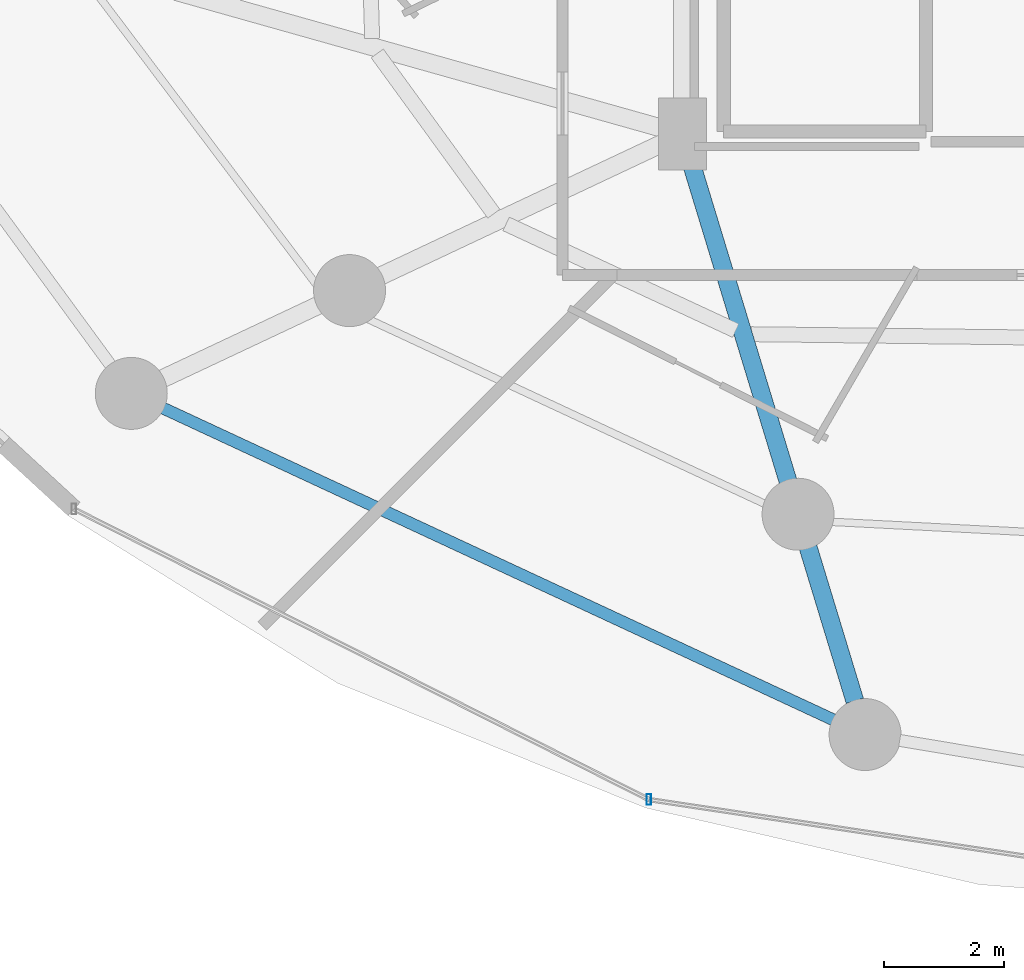
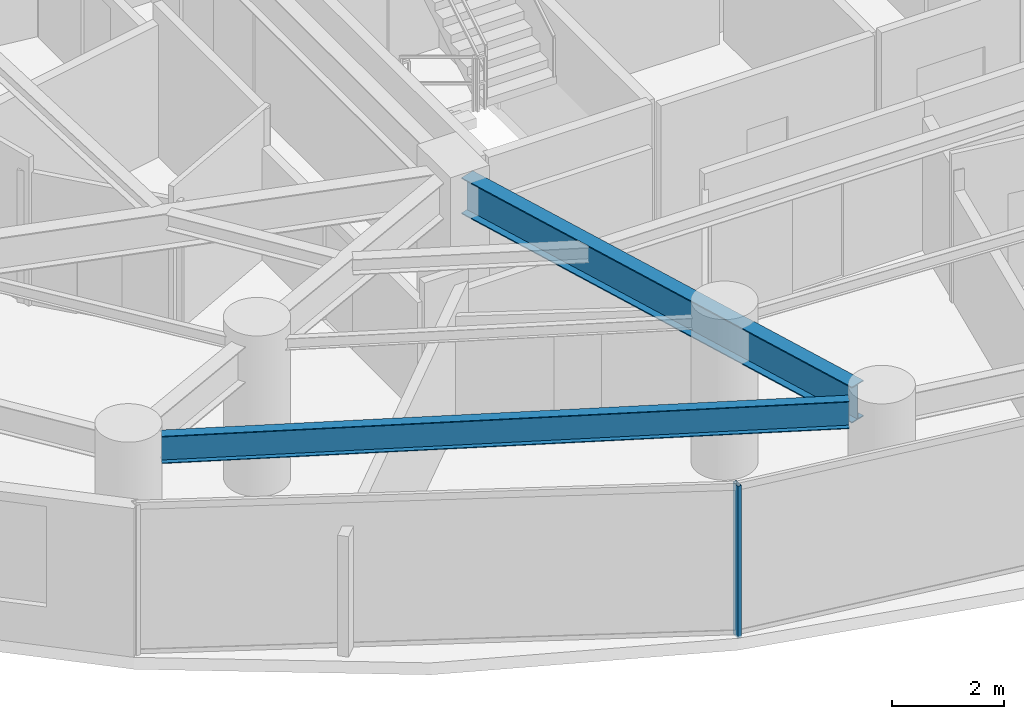
# One storey, part 5 of 35: 2 beams, 1 member, 1 element without a shape of its own.
"""IFC4 building model written with IfcOpenShell, lengths in metres."""

from ifc_helpers import new_model, si_unit, direction, frame, origin, origin_2d, place, context, subcontext, project, spatial, hollow_rectangle, i_section, extrude, material, material_profile, profile_set, type_object, element, aggregate, save


model = new_model("IFC4")

# Units and contexts
model_context = context("Model", 3, precision=1e-05, world=origin(), true_north=direction((0.0, 1.0)))
body_context = subcontext(model_context, "Body", "Model", "MODEL_VIEW")
ifc_project = project(units=[si_unit("LENGTHUNIT", "METRE"), si_unit("AREAUNIT", "SQUARE_METRE"), si_unit("VOLUMEUNIT", "CUBIC_METRE"), si_unit("PLANEANGLEUNIT", "RADIAN"), si_unit("MASSUNIT", "GRAM", prefix="KILO")], contexts=[model_context])

# Site, building, storey
site_placement = place(None, origin())
site = spatial("IfcSite", under=ifc_project, at=site_placement, CompositionType="ELEMENT")
building_placement = place(site_placement, origin())
building = spatial("IfcBuilding", under=site, at=building_placement, Name="Vorneva Point Tower", CompositionType="ELEMENT")
storey_placement = place(building_placement, frame((0.0, 0.0, 48.5)))
storey = spatial("IfcBuildingStorey", under=building, at=storey_placement, Name="L12", CompositionType="ELEMENT", Elevation=48.5)

# Beams
ifc_material_1 = material(Name="Steel S355", Category="steel")
ifc_material_profile_1 = material_profile(ifc_material_1, i_section(OverallWidth=0.300048828125, OverallDepth=0.7880859375, WebThickness=0.014404296875, FlangeThickness=0.02197265625, at=origin_2d()), Name="80Sh1")
ifc_profile_set_1 = profile_set([ifc_material_profile_1], Name="Steel S355")
beam_type_1 = type_object("IfcBeamType", Name="BM-GRD-80Sh1", PredefinedType="USERDEFINED", material=ifc_profile_set_1)
beam_1_placement = place(storey_placement, frame((30.125732421875, 6.997802734375, 2.845947265625), z_axis=(-0.29105061459, 0.956707656365, 0.0), x_axis=(-0.956707656365, -0.29105061459, 0.0)))
element("IfcBeam", 1, at=beam_1_placement, inside=storey, type_object=beam_type_1, Name="L12 Radial Primary Girder 12", ObjectType="GIRDER", PredefinedType="USERDEFINED", context=body_context, shape_type="SweptSolid", body=[
    extrude(i_section(OverallWidth=0.300048828125, OverallDepth=0.7880859375, WebThickness=0.014404296875, FlangeThickness=0.02197265625, at=origin_2d()), origin(), (0.0, 0.0, 1.0), 9.5400390625),
])
ifc_material_profile_2 = material_profile(ifc_material_1, i_section(OverallWidth=0.198974609375, OverallDepth=0.595947265625, WebThickness=0.010009765625, FlangeThickness=0.014892578125, at=origin_2d()), Name="60B1")
ifc_profile_set_2 = profile_set([ifc_material_profile_2], Name="Steel S355")
beam_type_2 = type_object("IfcBeamType", Name="BM-SPN-60B1", PredefinedType="SPANDREL", material=ifc_profile_set_2)
beam_2_placement = place(storey_placement, frame((18.591796875, 11.877685546875, 2.94189453125), z_axis=(0.906772901024, -0.421619385191, 0.0), x_axis=(0.421619385191, 0.906772901024, 0.0)))
element("IfcBeam", 2, at=beam_2_placement, inside=storey, type_object=beam_type_2, Name="L12 Perimeter Spandrel Ring Beam 11", PredefinedType="SPANDREL", context=body_context, shape_type="SweptSolid", body=[
    extrude(i_section(OverallWidth=0.198974609375, OverallDepth=0.595947265625, WebThickness=0.010009765625, FlangeThickness=0.014892578125, at=origin_2d()), origin(), (0.0, 0.0, 1.0), 12.323486328125),
])

# Curtain wall, member
ifc_material_2 = material(Name="Pale anodised aluminium", Category="aluminium")
curtain_wall_type = type_object("IfcCurtainWallType", Name="CW-HTL-SYS", PredefinedType="NOTDEFINED", material=ifc_material_2)
curtain_wall_placement = place(storey_placement, origin())
curtain_wall = element("IfcCurtainWall", 3, at=curtain_wall_placement, inside=storey, type_object=curtain_wall_type, Name="L12 Unitised Curtain Wall CW-L12-R04", PredefinedType="NOTDEFINED")
ifc_material_profile_3 = material_profile(ifc_material_2, hollow_rectangle(XDim=0.074951171875, YDim=0.179931640625, WallThickness=0.00390625, at=origin_2d()), Name="AL-MUL 180x75x4")
ifc_profile_set_3 = profile_set([ifc_material_profile_3], Name="Pale anodised aluminium")
member_type = type_object("IfcMemberType", Name="CW-MUL-180", PredefinedType="MULLION", material=ifc_profile_set_3)
member_placement = place(storey_placement, frame((26.691650390625, 5.351318359375, -0.0400390625), z_axis=(0.0, 0.0, 1.0), x_axis=(1.0, 0.0, 0.0)))
member = element("IfcMember", 4, at=member_placement, type_object=member_type, Name="CW-L12-R04 Mullion 02", PredefinedType="MULLION", context=body_context, shape_type="SweptSolid", body=[
    extrude(hollow_rectangle(XDim=0.074951171875, YDim=0.179931640625, WallThickness=0.00390625, at=origin_2d()), origin(), (0.0, 0.0, 1.0), 3.31005859375),
])
aggregate(curtain_wall, [member])

save(model, "model.ifc")
